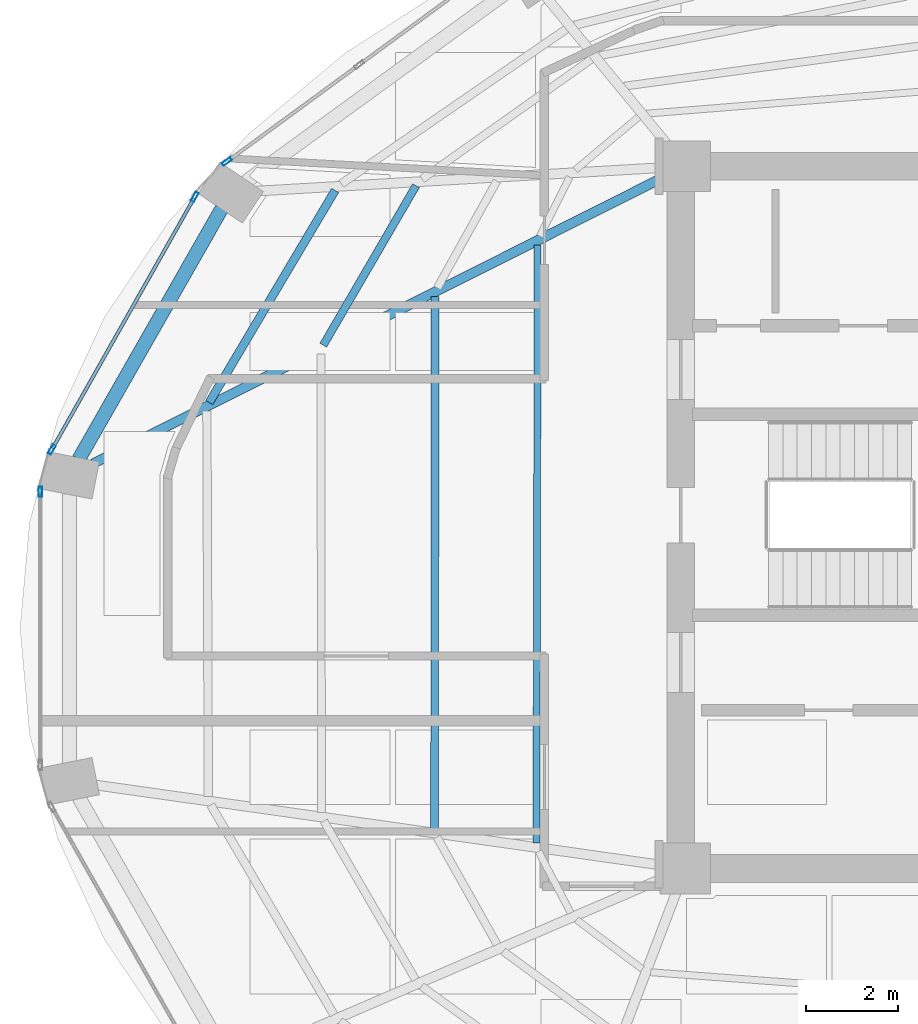
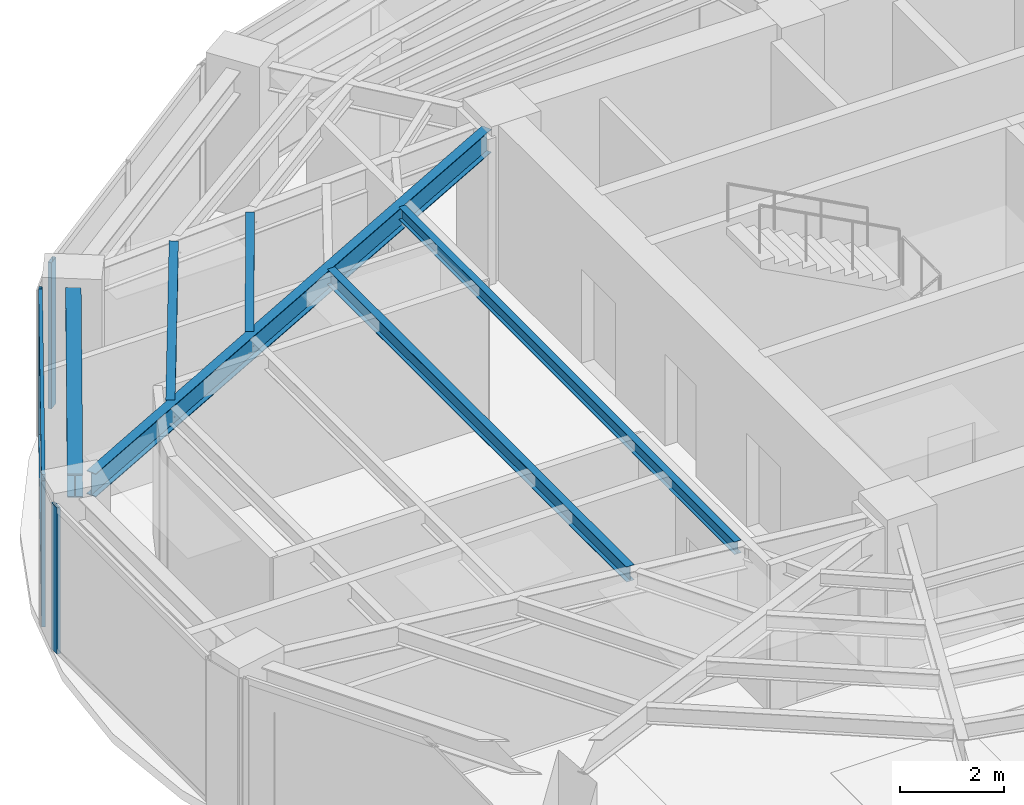
# One storey, part 6 of 20: 6 beams, 6 members, 3 elements without a shape of their own.
"""IFC4 building model written with IfcOpenShell, lengths in metres."""

from ifc_helpers import new_model, si_unit, direction, frame, origin, origin_2d, place, context, subcontext, project, spatial, hollow_rectangle, i_section, extrude, material, layer, layer_set, material_profile, profile_set, type_object, element, aggregate, save


model = new_model("IFC4")

# Units and contexts
model_context = context("Model", 3, precision=1e-05, world=origin(), true_north=direction((0.0, 1.0)))
body_context = subcontext(model_context, "Body", "Model", "MODEL_VIEW")
ifc_project = project(units=[si_unit("LENGTHUNIT", "METRE"), si_unit("AREAUNIT", "SQUARE_METRE"), si_unit("VOLUMEUNIT", "CUBIC_METRE"), si_unit("PLANEANGLEUNIT", "RADIAN"), si_unit("MASSUNIT", "GRAM", prefix="KILO")], contexts=[model_context])

# Site, building, storey
site_placement = place(None, origin())
site = spatial("IfcSite", under=ifc_project, at=site_placement, CompositionType="ELEMENT")
building_placement = place(site_placement, origin())
building = spatial("IfcBuilding", under=site, at=building_placement, Name="Lazwardi Medical Tower", CompositionType="ELEMENT")
storey_placement = place(building_placement, frame((0.0, 0.0, 174.76806640625)))
storey = spatial("IfcBuildingStorey", under=building, at=storey_placement, Name="L45", CompositionType="ELEMENT", Elevation=174.76806640625)

# Beams
ifc_material_1 = material(Name="Steel S355", Category="steel")
ifc_material_profile_1 = material_profile(ifc_material_1, i_section(OverallWidth=0.300048828125, OverallDepth=0.550048828125, WebThickness=0.014892578125, FlangeThickness=0.029052734375, at=origin_2d()), Name="HEB 550")
ifc_profile_set_1 = profile_set([ifc_material_profile_1], Name="Steel S355")
beam_type_1 = type_object("IfcBeamType", Name="BM-RB-Z3", PredefinedType="BEAM", material=ifc_profile_set_1)
beam_1_placement = place(storey_placement, frame((16.3662109375, 34.683349609375, 3.15283203125), z_axis=(-0.495477752551, -0.868620628771, 0.0), x_axis=(0.868620628771, -0.495477752551, 0.0)))
element("IfcBeam", 1, at=beam_1_placement, inside=storey, type_object=beam_type_1, Name="Ring beam RB-04 B11 L45", PredefinedType="BEAM", context=body_context, shape_type="SweptSolid", body=[
    extrude(i_section(OverallWidth=0.300048828125, OverallDepth=0.550048828125, WebThickness=0.014892578125, FlangeThickness=0.029052734375, at=origin_2d()), origin(), (0.0, 0.0, 1.0), 6.244384765625),
])
ifc_material_profile_2 = material_profile(ifc_material_1, i_section(OverallWidth=0.2099609375, OverallDepth=0.550048828125, WebThickness=0.010986328125, FlangeThickness=0.01708984375, at=origin_2d()), Name="IPE 550")
ifc_profile_set_2 = profile_set([ifc_material_profile_2], Name="Steel S355")
beam_type_2 = type_object("IfcBeamType", Name="BM-RG-W2", PredefinedType="BEAM", material=ifc_profile_set_2)
beam_2_placement = place(storey_placement, frame((13.57470703125, 29.162841796875, 3.15283203125), z_axis=(0.893740468624, 0.448584412061, 0.0), x_axis=(-0.448584412061, 0.893740468624, 0.0)))
element("IfcBeam", 2, at=beam_2_placement, inside=storey, type_object=beam_type_2, Name="Radial girder RG-03 R12 L45", PredefinedType="BEAM", context=body_context, shape_type="SweptSolid", body=[
    extrude(i_section(OverallWidth=0.2099609375, OverallDepth=0.550048828125, WebThickness=0.010986328125, FlangeThickness=0.01708984375, at=origin_2d()), origin(), (0.0, 0.0, 1.0), 13.815185546875),
])
ifc_material_profile_3 = material_profile(ifc_material_1, i_section(OverallWidth=0.179931640625, OverallDepth=0.39990234375, WebThickness=0.008544921875, FlangeThickness=0.013427734375, at=origin_2d()), Name="IPE 400")
ifc_profile_set_3 = profile_set([ifc_material_profile_3], Name="Steel S355")
beam_type_3 = type_object("IfcBeamType", Name="BM-SJ-01", PredefinedType="JOIST", material=ifc_profile_set_3)
beam_3_placement = place(storey_placement, frame((18.82080078125, 35.078369140625, 3.22802734375), z_axis=(-0.510569396963, -0.859836548935, 0.0), x_axis=(0.859836548935, -0.510569396963, 0.0)))
element("IfcBeam", 3, at=beam_3_placement, inside=storey, type_object=beam_type_3, Name="Secondary joist SJ-01 R1 B11 L45", PredefinedType="JOIST", context=body_context, shape_type="SweptSolid", body=[
    extrude(i_section(OverallWidth=0.179931640625, OverallDepth=0.39990234375, WebThickness=0.008544921875, FlangeThickness=0.013427734375, at=origin_2d()), origin(), (0.0, 0.0, 1.0), 5.33837890625),
])
ifc_material_profile_4 = material_profile(ifc_material_1, i_section(OverallWidth=0.169921875, OverallDepth=0.360107421875, WebThickness=0.008056640625, FlangeThickness=0.0126953125, at=origin_2d()), Name="IPE 360")
ifc_profile_set_4 = profile_set([ifc_material_profile_4], Name="Steel S355")
beam_type_4 = type_object("IfcBeamType", Name="BM-SJ-02", PredefinedType="JOIST", material=ifc_profile_set_4)
beam_4_placement = place(storey_placement, frame((20.5703125, 35.17919921875, 3.248046875), z_axis=(-0.502665102216, -0.864481228839, 0.0), x_axis=(0.864481228839, -0.502665102216, 0.0)))
element("IfcBeam", 4, at=beam_4_placement, inside=storey, type_object=beam_type_4, Name="Secondary joist SJ-02 R2 B11 L45", PredefinedType="JOIST", context=body_context, shape_type="SweptSolid", body=[
    extrude(i_section(OverallWidth=0.169921875, OverallDepth=0.360107421875, WebThickness=0.008056640625, FlangeThickness=0.0126953125, at=origin_2d()), origin(), (0.0, 0.0, 1.0), 3.991943359375),
])
beam_5_placement = place(storey_placement, frame((20.98291015625, 32.78125, 3.248046875), z_axis=(-0.000805852776, -0.999999675301, 0.0), x_axis=(0.999999675301, -0.000805852776, 0.0)))
element("IfcBeam", 5, at=beam_5_placement, inside=storey, type_object=beam_type_4, Name="Secondary joist SJ-02 R3 B12 L45", PredefinedType="JOIST", context=body_context, shape_type="SweptSolid", body=[
    extrude(i_section(OverallWidth=0.169921875, OverallDepth=0.360107421875, WebThickness=0.008056640625, FlangeThickness=0.0126953125, at=origin_2d()), origin(), (0.0, 0.0, 1.0), 11.512451171875),
])
ifc_material_profile_5 = material_profile(ifc_material_1, i_section(OverallWidth=0.14990234375, OverallDepth=0.300048828125, WebThickness=0.007080078125, FlangeThickness=0.0107421875, at=origin_2d()), Name="IPE 300")
ifc_profile_set_5 = profile_set([ifc_material_profile_5], Name="Steel S355")
beam_type_5 = type_object("IfcBeamType", Name="BM-SJ-03", PredefinedType="JOIST", material=ifc_profile_set_5)
beam_6_placement = place(storey_placement, frame((23.205078125, 33.896484375, 3.27783203125), z_axis=(-0.002150897838, -0.999997686817, 0.0), x_axis=(0.999997686817, -0.002150897838, 0.0)))
element("IfcBeam", 6, at=beam_6_placement, inside=storey, type_object=beam_type_5, Name="Secondary joist SJ-03 R4 B12 L45", PredefinedType="JOIST", context=body_context, shape_type="SweptSolid", body=[
    extrude(i_section(OverallWidth=0.14990234375, OverallDepth=0.300048828125, WebThickness=0.007080078125, FlangeThickness=0.0107421875, at=origin_2d()), origin(), (0.0, 0.0, 1.0), 12.939697265625),
])

# Curtain wall, member
ifc_material_2 = material(Name="Anodised bronze aluminium and solar control glazing", Category="aluminium")
ifc_layer = layer(ifc_material_2, 0.195068359375)
ifc_layer_set = layer_set([ifc_layer], Name="Anodised bronze aluminium and solar control glazing")
curtain_wall_type = type_object("IfcCurtainWallType", Name="CW-SYS-03", PredefinedType="NOTDEFINED", material=ifc_layer_set)
curtain_wall_1_placement = place(storey_placement, origin())
curtain_wall_1 = element("IfcCurtainWall", 7, at=curtain_wall_1_placement, inside=storey, type_object=curtain_wall_type, Name="L45 Unitised bronze curtain wall CW-03", PredefinedType="NOTDEFINED")
ifc_material_3 = material(Name="Anodised bronze aluminium", Category="aluminium")
ifc_material_profile_6 = material_profile(ifc_material_3, hollow_rectangle(XDim=0.074951171875, YDim=0.219970703125, WallThickness=0.00390625, at=origin_2d()), Name="ALU-MULLION 220x75x4")
ifc_profile_set_6 = profile_set([ifc_material_profile_6], Name="Anodised bronze aluminium")
member_type_1 = type_object("IfcMemberType", Name="CW-MUL-01", PredefinedType="MULLION", material=ifc_profile_set_6)
member_1_placement = place(storey_placement, frame((16.480224609375, 35.702880859375, 0.0), z_axis=(0.0, 0.0, 1.0), x_axis=(0.590833862635, -0.806793249082, 0.0)))
member_1 = element("IfcMember", 8, at=member_1_placement, type_object=member_type_1, Name="CW-03 mullion 3", PredefinedType="MULLION", context=body_context, shape_type="SweptSolid", body=[
    extrude(hollow_rectangle(XDim=0.074951171875, YDim=0.219970703125, WallThickness=0.00390625, at=origin_2d()), origin(), (0.0, 0.0, 1.0), 3.427978515625),
])
aggregate(curtain_wall_1, [member_1])

# Curtain wall, members
curtain_wall_2_placement = place(storey_placement, origin())
curtain_wall_2 = element("IfcCurtainWall", 9, at=curtain_wall_2_placement, inside=storey, type_object=curtain_wall_type, Name="L45 Unitised bronze curtain wall CW-03", PredefinedType="NOTDEFINED")
member_2_placement = place(storey_placement, frame((15.782470703125, 34.936767578125, 0.0), z_axis=(0.0, 0.0, 1.0), x_axis=(0.870418989303, -0.492311672683, 0.0)))
member_2 = element("IfcMember", 10, at=member_2_placement, type_object=member_type_1, Name="CW-03 mullion 1", PredefinedType="MULLION", context=body_context, shape_type="SweptSolid", body=[
    extrude(hollow_rectangle(XDim=0.074951171875, YDim=0.219970703125, WallThickness=0.00390625, at=origin_2d()), origin(), (0.0, 0.0, 1.0), 3.427978515625),
])
member_3_placement = place(storey_placement, frame((12.68896484375, 29.46728515625, 0.0), z_axis=(0.0, 0.0, 1.0), x_axis=(0.870418989303, -0.492311672683, 0.0)))
member_3 = element("IfcMember", 11, at=member_3_placement, type_object=member_type_1, Name="CW-03 mullion 2", PredefinedType="MULLION", context=body_context, shape_type="SweptSolid", body=[
    extrude(hollow_rectangle(XDim=0.074951171875, YDim=0.219970703125, WallThickness=0.00390625, at=origin_2d()), origin(), (0.0, 0.0, 1.0), 3.427978515625),
])

# Curtain wall, member
curtain_wall_3_placement = place(storey_placement, origin())
curtain_wall_3 = element("IfcCurtainWall", 12, at=curtain_wall_3_placement, inside=storey, type_object=curtain_wall_type, Name="L45 Unitised bronze curtain wall CW-03", PredefinedType="NOTDEFINED")
member_4_placement = place(storey_placement, frame((12.4423828125, 28.557861328125, 0.0), z_axis=(0.0, 0.0, 1.0), x_axis=(1.0, 0.0, 0.0)))
member_4 = element("IfcMember", 13, at=member_4_placement, type_object=member_type_1, Name="CW-03 mullion 1", PredefinedType="MULLION", context=body_context, shape_type="SweptSolid", body=[
    extrude(hollow_rectangle(XDim=0.074951171875, YDim=0.219970703125, WallThickness=0.00390625, at=origin_2d()), origin(), (0.0, 0.0, 1.0), 3.427978515625),
])
aggregate(curtain_wall_3, [member_4])

# Member
ifc_material_profile_7 = material_profile(ifc_material_3, hollow_rectangle(XDim=0.074951171875, YDim=0.159912109375, WallThickness=0.00390625, at=origin_2d()), Name="ALU-TRANSOM 160x75x4")
ifc_profile_set_7 = profile_set([ifc_material_profile_7], Name="Anodised bronze aluminium")
member_type_2 = type_object("IfcMemberType", Name="CW-TRN-01", PredefinedType="USERDEFINED", material=ifc_profile_set_7)
member_5_placement = place(storey_placement, frame((15.763916015625, 34.904052734375, 0.037353515625), z_axis=(-0.492322860598, -0.870412661289, 0.0), x_axis=(0.870412661289, -0.492322860598, 0.0)))
member_5 = element("IfcMember", 14, at=member_5_placement, type_object=member_type_2, Name="CW-03 transom 1.1", ObjectType="TRANSOM", PredefinedType="USERDEFINED", context=body_context, shape_type="SweptSolid", body=[
    extrude(hollow_rectangle(XDim=0.074951171875, YDim=0.159912109375, WallThickness=0.00390625, at=origin_2d()), origin(), (0.0, 0.0, 1.0), 6.20849609375),
])

member_6_placement = place(storey_placement, frame((15.763916015625, 34.904052734375, 3.390380859375), z_axis=(-0.492322860598, -0.870412661289, 0.0), x_axis=(0.870412661289, -0.492322860598, 0.0)))
member_6 = element("IfcMember", 15, at=member_6_placement, type_object=member_type_2, Name="CW-03 transom 1.2", ObjectType="TRANSOM", PredefinedType="USERDEFINED", context=body_context, shape_type="SweptSolid", body=[
    extrude(hollow_rectangle(XDim=0.074951171875, YDim=0.159912109375, WallThickness=0.00390625, at=origin_2d()), origin(), (0.0, 0.0, 1.0), 6.20849609375),
])

aggregate(curtain_wall_2, [member_2, member_3, member_5, member_6])

save(model, "model.ifc")
